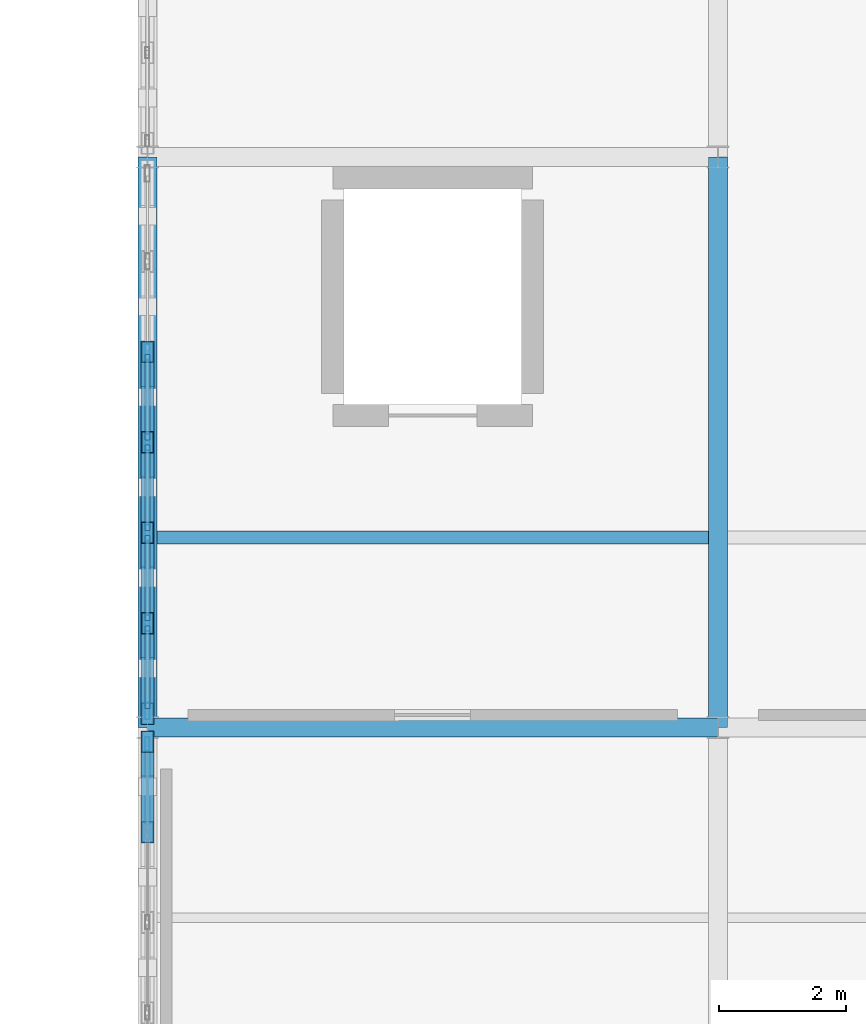
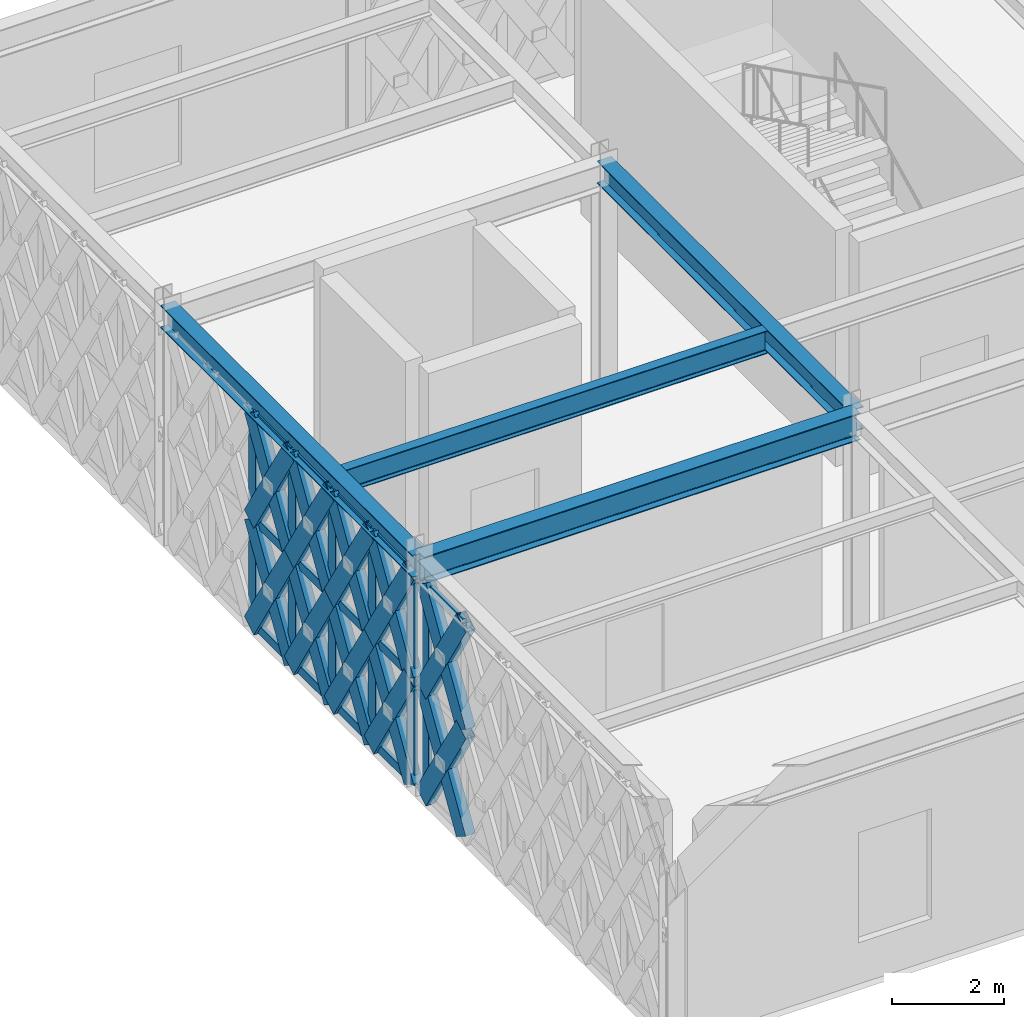
# One storey, part 83 of 166: 49 members, 4 beams, 2 elements without a shape of their own.
"""IFC4 building model written with IfcOpenShell, lengths in metres."""

from ifc_helpers import new_model, si_unit, direction, frame, origin, origin_2d, place, context, subcontext, project, spatial, hollow_rectangle, i_section, extrude, material, material_profile, profile_set, type_object, element, aggregate, save


model = new_model("IFC4")

# Units and contexts
model_context = context("Model", 3, precision=1e-05, world=origin(), true_north=direction((0.0, 1.0)))
body_context = subcontext(model_context, "Body", "Model", "MODEL_VIEW")
ifc_project = project(units=[si_unit("LENGTHUNIT", "METRE"), si_unit("AREAUNIT", "SQUARE_METRE"), si_unit("VOLUMEUNIT", "CUBIC_METRE"), si_unit("PLANEANGLEUNIT", "RADIAN"), si_unit("MASSUNIT", "GRAM", prefix="KILO")], contexts=[model_context])

# Site, building, storey
site_placement = place(None, origin())
site = spatial("IfcSite", under=ifc_project, at=site_placement, CompositionType="ELEMENT")
building_placement = place(site_placement, origin())
building = spatial("IfcBuilding", under=site, at=building_placement, Name="Haizhuo Lancet Aquarium", CompositionType="ELEMENT")
storey_placement = place(building_placement, frame((0.0, 0.0, 5.39990234375)))
storey = spatial("IfcBuildingStorey", under=building, at=storey_placement, Name="L01", CompositionType="ELEMENT", Elevation=5.39990234375)

# Beams
ifc_material_1 = material(Name="Steel S355", Category="steel")
ifc_material_profile_1 = material_profile(ifc_material_1, i_section(OverallWidth=0.300048828125, OverallDepth=0.488037109375, WebThickness=0.010986328125, FlangeThickness=0.01806640625, FilletRadius=0.02392578125, at=origin_2d()), Name="HM 488x300x11x18")
ifc_profile_set_1 = profile_set([ifc_material_profile_1], Name="Steel S355")
beam_type_1 = type_object("IfcBeamType", Name="BM-ST-HM488", PredefinedType="BEAM", material=ifc_profile_set_1)
for number, where, z_axis, x_axis, name in (
    (1, (36.0, 18.0, 4.89599609375), (0.0, 1.0, 0.0), (-1.0, 0.0, 0.0), "L01 V7 primary girder BM-L01-V7-003"),
    (2, (45.0, 18.0, 4.89599609375), (0.0, 1.0, 0.0), (-1.0, 0.0, 0.0), "L01 V7 primary girder BM-L01-V7-010"),
):
    element("IfcBeam", number, at=place(storey_placement, frame(where, z_axis=z_axis, x_axis=x_axis)), inside=storey, type_object=beam_type_1, Name=name, PredefinedType="BEAM", context=body_context, shape_type="SweptSolid", body=[
        extrude(i_section(OverallWidth=0.300048828125, OverallDepth=0.488037109375, WebThickness=0.010986328125, FlangeThickness=0.01806640625, FilletRadius=0.02392578125, at=origin_2d()), origin(), (0.0, 0.0, 1.0), 9.0),
    ])
ifc_material_profile_2 = material_profile(ifc_material_1, i_section(OverallWidth=0.300048828125, OverallDepth=0.587890625, WebThickness=0.011962890625, FlangeThickness=0.02001953125, FilletRadius=0.02587890625, at=origin_2d()), Name="HM 588x300x12x20")
ifc_profile_set_2 = profile_set([ifc_material_profile_2], Name="Steel S355")
beam_type_2 = type_object("IfcBeamType", Name="BM-ST-HM588", PredefinedType="BEAM", material=ifc_profile_set_2)
beam_1_placement = place(storey_placement, frame((36.0, 18.0, 4.84619140625), z_axis=(1.0, 0.0, 0.0), x_axis=(0.0, 1.0, 0.0)))
element("IfcBeam", 3, at=beam_1_placement, inside=storey, type_object=beam_type_2, Name="L01 V7 primary girder BM-L01-V7-004", PredefinedType="BEAM", context=body_context, shape_type="SweptSolid", body=[
    extrude(i_section(OverallWidth=0.300048828125, OverallDepth=0.587890625, WebThickness=0.011962890625, FlangeThickness=0.02001953125, FilletRadius=0.02587890625, at=origin_2d()), origin(), (0.0, 0.0, 1.0), 9.0),
])

# Curtain wall, member
ifc_material_2 = material(Name="Aluminium 6063-T6", Category="aluminium")
curtain_wall_type = type_object("IfcCurtainWallType", Name="CWD-8560x4650", PredefinedType="NOTDEFINED", material=ifc_material_2)
curtain_wall_1_placement = place(storey_placement, origin())
curtain_wall_1 = element("IfcCurtainWall", 4, at=curtain_wall_1_placement, inside=storey, type_object=curtain_wall_type, Name="L01 curtain wall CW-V7-L01-293", PredefinedType="NOTDEFINED")
ifc_material_profile_3 = material_profile(ifc_material_2, hollow_rectangle(XDim=0.074951171875, YDim=0.219970703125, WallThickness=0.0048828125, at=origin_2d()), Name="ALU-M 75x220x5")
ifc_profile_set_3 = profile_set([ifc_material_profile_3], Name="Aluminium 6063-T6")
member_type_1 = type_object("IfcMemberType", Name="CW-MUL-2", PredefinedType="MULLION", material=ifc_profile_set_3)
member_1_placement = place(storey_placement, frame((36.0, 17.741943359375, 0.0), z_axis=(0.0, 0.0, 1.0), x_axis=(-1.0, 0.0, 0.0)))
member_1 = element("IfcMember", 5, at=member_1_placement, type_object=member_type_1, Name="CWD-85x46 mullion 7", PredefinedType="MULLION", context=body_context, shape_type="SweptSolid", body=[
    extrude(hollow_rectangle(XDim=0.074951171875, YDim=0.219970703125, WallThickness=0.0048828125, at=origin_2d()), origin(), (0.0, 0.0, 1.0), 4.652099609375),
])

# Curtain wall, members
curtain_wall_2_placement = place(storey_placement, origin())
curtain_wall_2 = element("IfcCurtainWall", 6, at=curtain_wall_2_placement, inside=storey, type_object=curtain_wall_type, Name="L01 curtain wall CW-V7-L01-294", PredefinedType="NOTDEFINED")
ifc_material_profile_4 = material_profile(ifc_material_2, hollow_rectangle(XDim=0.080078125, YDim=0.260009765625, WallThickness=0.0048828125, at=origin_2d()), Name="ALU-M 80x260x5")
ifc_profile_set_4 = profile_set([ifc_material_profile_4], Name="Aluminium 6063-T6")
member_type_2 = type_object("IfcMemberType", Name="CW-MUL-3", PredefinedType="MULLION", material=ifc_profile_set_4)
member_2_placement = place(storey_placement, frame((36.0, 18.260009765625, 0.0), z_axis=(0.0, 0.0, 1.0), x_axis=(-1.0, 0.0, 0.0)))
member_2 = element("IfcMember", 7, at=member_2_placement, type_object=member_type_2, Name="CWD-85x46 mullion 1", PredefinedType="MULLION", context=body_context, shape_type="SweptSolid", body=[
    extrude(hollow_rectangle(XDim=0.080078125, YDim=0.260009765625, WallThickness=0.0048828125, at=origin_2d()), origin(), (0.0, 0.0, 1.0), 4.652099609375),
])
member_3_placement = place(storey_placement, frame((36.0, 19.64697265625, 0.0), z_axis=(0.0, 0.0, 1.0), x_axis=(-1.0, 0.0, 0.0)))
member_3 = element("IfcMember", 8, at=member_3_placement, type_object=member_type_2, Name="CWD-85x46 mullion 2", PredefinedType="MULLION", context=body_context, shape_type="SweptSolid", body=[
    extrude(hollow_rectangle(XDim=0.080078125, YDim=0.260009765625, WallThickness=0.0048828125, at=origin_2d()), origin(), (0.0, 0.0, 1.0), 4.652099609375),
])
member_4_placement = place(storey_placement, frame((36.0, 21.072998046875, 0.0), z_axis=(0.0, 0.0, 1.0), x_axis=(-1.0, 0.0, 0.0)))
member_4 = element("IfcMember", 9, at=member_4_placement, type_object=member_type_2, Name="CWD-85x46 mullion 3", PredefinedType="MULLION", context=body_context, shape_type="SweptSolid", body=[
    extrude(hollow_rectangle(XDim=0.080078125, YDim=0.260009765625, WallThickness=0.0048828125, at=origin_2d()), origin(), (0.0, 0.0, 1.0), 4.652099609375),
])
member_5_placement = place(storey_placement, frame((36.0, 22.5, 0.0), z_axis=(0.0, 0.0, 1.0), x_axis=(-1.0, 0.0, 0.0)))
member_5 = element("IfcMember", 10, at=member_5_placement, type_object=member_type_2, Name="CWD-85x46 mullion 4", PredefinedType="MULLION", context=body_context, shape_type="SweptSolid", body=[
    extrude(hollow_rectangle(XDim=0.080078125, YDim=0.260009765625, WallThickness=0.0048828125, at=origin_2d()), origin(), (0.0, 0.0, 1.0), 4.652099609375),
])
member_6_placement = place(storey_placement, frame((36.0, 23.927001953125, 0.0), z_axis=(0.0, 0.0, 1.0), x_axis=(-1.0, 0.0, 0.0)))
member_6 = element("IfcMember", 11, at=member_6_placement, type_object=member_type_2, Name="CWD-85x46 mullion 5", PredefinedType="MULLION", context=body_context, shape_type="SweptSolid", body=[
    extrude(hollow_rectangle(XDim=0.080078125, YDim=0.260009765625, WallThickness=0.0048828125, at=origin_2d()), origin(), (0.0, 0.0, 1.0), 4.652099609375),
])

# Member
ifc_material_profile_5 = material_profile(ifc_material_2, hollow_rectangle(XDim=0.074951171875, YDim=0.159912109375, WallThickness=0.00390625, at=origin_2d()), Name="ALU-T 75x160x4")
ifc_profile_set_5 = profile_set([ifc_material_profile_5], Name="Aluminium 6063-T6")
member_type_3 = type_object("IfcMemberType", Name="CW-TRN-2", PredefinedType="NOTDEFINED", material=ifc_profile_set_5)
member_7_placement = place(storey_placement, frame((36.0, 16.39111328125, 4.614013671875), z_axis=(0.0, 1.0, 0.0), x_axis=(-1.0, 0.0, 0.0)))
member_7 = element("IfcMember", 12, at=member_7_placement, type_object=member_type_3, Name="CWD-85x46 transom 6.3", ObjectType="TRANSOM", PredefinedType="USERDEFINED", context=body_context, shape_type="SweptSolid", body=[
    extrude(hollow_rectangle(XDim=0.074951171875, YDim=0.159912109375, WallThickness=0.00390625, at=origin_2d()), origin(), (0.0, 0.0, 1.0), 1.31396484375),
])

aggregate(curtain_wall_1, [member_1, member_7])

ifc_material_profile_6 = material_profile(ifc_material_2, hollow_rectangle(XDim=0.080078125, YDim=0.18994140625, WallThickness=0.0048828125, at=origin_2d()), Name="ALU-T 80x190x5")
ifc_profile_set_6 = profile_set([ifc_material_profile_6], Name="Aluminium 6063-T6")
member_type_4 = type_object("IfcMemberType", Name="CW-TRN-3", PredefinedType="NOTDEFINED", material=ifc_profile_set_6)
member_8_placement = place(storey_placement, frame((36.0, 18.300048828125, 0.0400390625), z_axis=(0.0, 1.0, 0.0), x_axis=(-1.0, 0.0, 0.0)))
member_8 = element("IfcMember", 13, at=member_8_placement, type_object=member_type_4, Name="CWD-85x46 transom 1.1", ObjectType="TRANSOM", PredefinedType="USERDEFINED", context=body_context, shape_type="SweptSolid", body=[
    extrude(hollow_rectangle(XDim=0.080078125, YDim=0.18994140625, WallThickness=0.0048828125, at=origin_2d()), origin(), (0.0, 0.0, 1.0), 1.306884765625),
])

member_9_placement = place(storey_placement, frame((36.0, 18.300048828125, 2.326171875), z_axis=(0.0, 1.0, 0.0), x_axis=(-1.0, 0.0, 0.0)))
member_9 = element("IfcMember", 14, at=member_9_placement, type_object=member_type_4, Name="CWD-85x46 transom 1.2", ObjectType="TRANSOM", PredefinedType="USERDEFINED", context=body_context, shape_type="SweptSolid", body=[
    extrude(hollow_rectangle(XDim=0.080078125, YDim=0.18994140625, WallThickness=0.0048828125, at=origin_2d()), origin(), (0.0, 0.0, 1.0), 1.306884765625),
])

member_10_placement = place(storey_placement, frame((36.0, 18.300048828125, 4.612060546875), z_axis=(0.0, 1.0, 0.0), x_axis=(-1.0, 0.0, 0.0)))
member_10 = element("IfcMember", 15, at=member_10_placement, type_object=member_type_4, Name="CWD-85x46 transom 1.3", ObjectType="TRANSOM", PredefinedType="USERDEFINED", context=body_context, shape_type="SweptSolid", body=[
    extrude(hollow_rectangle(XDim=0.080078125, YDim=0.18994140625, WallThickness=0.0048828125, at=origin_2d()), origin(), (0.0, 0.0, 1.0), 1.306884765625),
])

member_11_placement = place(storey_placement, frame((36.0, 19.68701171875, 0.0400390625), z_axis=(0.0, 1.0, 0.0), x_axis=(-1.0, 0.0, 0.0)))
member_11 = element("IfcMember", 16, at=member_11_placement, type_object=member_type_4, Name="CWD-85x46 transom 2.1", ObjectType="TRANSOM", PredefinedType="USERDEFINED", context=body_context, shape_type="SweptSolid", body=[
    extrude(hollow_rectangle(XDim=0.080078125, YDim=0.18994140625, WallThickness=0.0048828125, at=origin_2d()), origin(), (0.0, 0.0, 1.0), 1.345947265625),
])

member_12_placement = place(storey_placement, frame((36.0, 19.68701171875, 2.326171875), z_axis=(0.0, 1.0, 0.0), x_axis=(-1.0, 0.0, 0.0)))
member_12 = element("IfcMember", 17, at=member_12_placement, type_object=member_type_4, Name="CWD-85x46 transom 2.2", ObjectType="TRANSOM", PredefinedType="USERDEFINED", context=body_context, shape_type="SweptSolid", body=[
    extrude(hollow_rectangle(XDim=0.080078125, YDim=0.18994140625, WallThickness=0.0048828125, at=origin_2d()), origin(), (0.0, 0.0, 1.0), 1.345947265625),
])

member_13_placement = place(storey_placement, frame((36.0, 19.68701171875, 4.612060546875), z_axis=(0.0, 1.0, 0.0), x_axis=(-1.0, 0.0, 0.0)))
member_13 = element("IfcMember", 18, at=member_13_placement, type_object=member_type_4, Name="CWD-85x46 transom 2.3", ObjectType="TRANSOM", PredefinedType="USERDEFINED", context=body_context, shape_type="SweptSolid", body=[
    extrude(hollow_rectangle(XDim=0.080078125, YDim=0.18994140625, WallThickness=0.0048828125, at=origin_2d()), origin(), (0.0, 0.0, 1.0), 1.345947265625),
])

member_14_placement = place(storey_placement, frame((36.0, 21.113037109375, 0.0400390625), z_axis=(0.0, 1.0, 0.0), x_axis=(-1.0, 0.0, 0.0)))
member_14 = element("IfcMember", 19, at=member_14_placement, type_object=member_type_4, Name="CWD-85x46 transom 3.1", ObjectType="TRANSOM", PredefinedType="USERDEFINED", context=body_context, shape_type="SweptSolid", body=[
    extrude(hollow_rectangle(XDim=0.080078125, YDim=0.18994140625, WallThickness=0.0048828125, at=origin_2d()), origin(), (0.0, 0.0, 1.0), 1.346923828125),
])

member_15_placement = place(storey_placement, frame((36.0, 21.113037109375, 2.326171875), z_axis=(0.0, 1.0, 0.0), x_axis=(-1.0, 0.0, 0.0)))
member_15 = element("IfcMember", 20, at=member_15_placement, type_object=member_type_4, Name="CWD-85x46 transom 3.2", ObjectType="TRANSOM", PredefinedType="USERDEFINED", context=body_context, shape_type="SweptSolid", body=[
    extrude(hollow_rectangle(XDim=0.080078125, YDim=0.18994140625, WallThickness=0.0048828125, at=origin_2d()), origin(), (0.0, 0.0, 1.0), 1.346923828125),
])

member_16_placement = place(storey_placement, frame((36.0, 21.113037109375, 4.612060546875), z_axis=(0.0, 1.0, 0.0), x_axis=(-1.0, 0.0, 0.0)))
member_16 = element("IfcMember", 21, at=member_16_placement, type_object=member_type_4, Name="CWD-85x46 transom 3.3", ObjectType="TRANSOM", PredefinedType="USERDEFINED", context=body_context, shape_type="SweptSolid", body=[
    extrude(hollow_rectangle(XDim=0.080078125, YDim=0.18994140625, WallThickness=0.0048828125, at=origin_2d()), origin(), (0.0, 0.0, 1.0), 1.346923828125),
])

member_17_placement = place(storey_placement, frame((36.0, 22.5400390625, 0.0400390625), z_axis=(0.0, 1.0, 0.0), x_axis=(-1.0, 0.0, 0.0)))
member_17 = element("IfcMember", 22, at=member_17_placement, type_object=member_type_4, Name="CWD-85x46 transom 4.1", ObjectType="TRANSOM", PredefinedType="USERDEFINED", context=body_context, shape_type="SweptSolid", body=[
    extrude(hollow_rectangle(XDim=0.080078125, YDim=0.18994140625, WallThickness=0.0048828125, at=origin_2d()), origin(), (0.0, 0.0, 1.0), 1.346923828125),
])

member_18_placement = place(storey_placement, frame((36.0, 22.5400390625, 2.326171875), z_axis=(0.0, 1.0, 0.0), x_axis=(-1.0, 0.0, 0.0)))
member_18 = element("IfcMember", 23, at=member_18_placement, type_object=member_type_4, Name="CWD-85x46 transom 4.2", ObjectType="TRANSOM", PredefinedType="USERDEFINED", context=body_context, shape_type="SweptSolid", body=[
    extrude(hollow_rectangle(XDim=0.080078125, YDim=0.18994140625, WallThickness=0.0048828125, at=origin_2d()), origin(), (0.0, 0.0, 1.0), 1.346923828125),
])

member_19_placement = place(storey_placement, frame((36.0, 22.5400390625, 4.612060546875), z_axis=(0.0, 1.0, 0.0), x_axis=(-1.0, 0.0, 0.0)))
member_19 = element("IfcMember", 24, at=member_19_placement, type_object=member_type_4, Name="CWD-85x46 transom 4.3", ObjectType="TRANSOM", PredefinedType="USERDEFINED", context=body_context, shape_type="SweptSolid", body=[
    extrude(hollow_rectangle(XDim=0.080078125, YDim=0.18994140625, WallThickness=0.0048828125, at=origin_2d()), origin(), (0.0, 0.0, 1.0), 1.346923828125),
])

aggregate(curtain_wall_2, [member_2, member_3, member_4, member_5, member_6, member_8, member_9, member_10, member_11, member_12, member_13, member_14, member_15, member_16, member_17, member_18, member_19])

# Beam
ifc_material_profile_7 = material_profile(ifc_material_1, i_section(OverallWidth=0.199951171875, OverallDepth=0.5, WebThickness=0.010009765625, FlangeThickness=0.01611328125, FilletRadius=0.02001953125, at=origin_2d()), Name="HN 500x200x10x16")
ifc_profile_set_7 = profile_set([ifc_material_profile_7], Name="Steel S355")
beam_type_3 = type_object("IfcBeamType", Name="JST-ST-HN500", PredefinedType="JOIST", material=ifc_profile_set_7)
beam_2_placement = place(storey_placement, frame((36.14990234375, 21.0, 4.89013671875), z_axis=(1.0, 0.0, 0.0), x_axis=(0.0, 1.0, 0.0)))
element("IfcBeam", 25, at=beam_2_placement, inside=storey, type_object=beam_type_3, Name="L01 V7 secondary floor joist 3", PredefinedType="JOIST", context=body_context, shape_type="SweptSolid", body=[
    extrude(i_section(OverallWidth=0.199951171875, OverallDepth=0.5, WebThickness=0.010009765625, FlangeThickness=0.01611328125, FilletRadius=0.02001953125, at=origin_2d()), origin(), (0.0, 0.0, 1.0), 8.7001953125),
])

# Members
ifc_material_profile_8 = material_profile(ifc_material_1, hollow_rectangle(XDim=0.199951171875, YDim=0.39990234375, WallThickness=0.011962890625, at=origin_2d()), Name="RHS 200x400x12")
ifc_profile_set_8 = profile_set([ifc_material_profile_8], Name="Steel S355")
member_type_5 = type_object("IfcMemberType", Name="MEM-LB-RHS200x400", PredefinedType="BRACE", material=ifc_profile_set_8)
member_20_placement = place(storey_placement, frame((36.0, 16.35302734375, 0.0), z_axis=(0.0, 0.522903960116, 0.85239160513), x_axis=(-1.0, 0.0, 0.0)))
element("IfcMember", 26, at=member_20_placement, inside=storey, type_object=member_type_5, Name="Gothic lancet continuous diagonal brace CW-V7-L01-293 11A", PredefinedType="BRACE", context=body_context, shape_type="SweptSolid", body=[
    extrude(hollow_rectangle(XDim=0.199951171875, YDim=0.39990234375, WallThickness=0.011962890625, at=origin_2d()), origin(), (0.0, 0.0, 1.0), 2.72900390625),
])
member_21_placement = place(storey_placement, frame((36.0, 17.780029296875, 0.0), z_axis=(0.0, -0.522708917992, 0.852511224003), x_axis=(1.0, 0.0, 0.0)))
element("IfcMember", 27, at=member_21_placement, inside=storey, type_object=member_type_5, Name="Gothic lancet split diagonal brace CW-V7-L01-293 11B1", PredefinedType="BRACE", context=body_context, shape_type="SweptSolid", body=[
    extrude(hollow_rectangle(XDim=0.199951171875, YDim=0.39990234375, WallThickness=0.011962890625, at=origin_2d()), origin(), (0.0, 0.0, 1.0), 1.3642578125),
])
member_22_placement = place(storey_placement, frame((36.0, 17.06689453125, 1.1630859375), z_axis=(0.0, -0.52309892014, 0.852271975222), x_axis=(1.0, 0.0, 0.0)))
element("IfcMember", 28, at=member_22_placement, inside=storey, type_object=member_type_5, Name="Gothic lancet split diagonal brace CW-V7-L01-293 11B2", PredefinedType="BRACE", context=body_context, shape_type="SweptSolid", body=[
    extrude(hollow_rectangle(XDim=0.199951171875, YDim=0.39990234375, WallThickness=0.011962890625, at=origin_2d()), origin(), (0.0, 0.0, 1.0), 1.36474609375),
])
member_23_placement = place(storey_placement, frame((36.0, 16.35302734375, 2.326171875), z_axis=(0.0, 0.522943837384, 0.852367140933), x_axis=(-1.0, 0.0, 0.0)))
element("IfcMember", 29, at=member_23_placement, inside=storey, type_object=member_type_5, Name="Gothic lancet continuous diagonal brace CW-V7-L01-293 12A", PredefinedType="BRACE", context=body_context, shape_type="SweptSolid", body=[
    extrude(hollow_rectangle(XDim=0.199951171875, YDim=0.39990234375, WallThickness=0.011962890625, at=origin_2d()), origin(), (0.0, 0.0, 1.0), 2.728759765625),
])
member_24_placement = place(storey_placement, frame((36.0, 17.780029296875, 2.326171875), z_axis=(0.0, -0.5227886701, 0.852462319646), x_axis=(1.0, 0.0, 0.0)))
element("IfcMember", 30, at=member_24_placement, inside=storey, type_object=member_type_5, Name="Gothic lancet split diagonal brace CW-V7-L01-293 12B1", PredefinedType="BRACE", context=body_context, shape_type="SweptSolid", body=[
    extrude(hollow_rectangle(XDim=0.199951171875, YDim=0.39990234375, WallThickness=0.011962890625, at=origin_2d()), origin(), (0.0, 0.0, 1.0), 1.364013671875),
])
member_25_placement = place(storey_placement, frame((36.0, 17.06689453125, 3.489013671875), z_axis=(0.0, -0.52309892014, 0.852271975222), x_axis=(1.0, 0.0, 0.0)))
element("IfcMember", 31, at=member_25_placement, inside=storey, type_object=member_type_5, Name="Gothic lancet split diagonal brace CW-V7-L01-293 12B2", PredefinedType="BRACE", context=body_context, shape_type="SweptSolid", body=[
    extrude(hollow_rectangle(XDim=0.199951171875, YDim=0.39990234375, WallThickness=0.011962890625, at=origin_2d()), origin(), (0.0, 0.0, 1.0), 1.36474609375),
])
member_26_placement = place(storey_placement, frame((36.0, 18.219970703125, 0.0), z_axis=(0.0, 0.522903960116, 0.85239160513), x_axis=(-1.0, 0.0, 0.0)))
element("IfcMember", 32, at=member_26_placement, inside=storey, type_object=member_type_5, Name="Gothic lancet continuous diagonal brace CW-V7-L01-294 1A", PredefinedType="BRACE", context=body_context, shape_type="SweptSolid", body=[
    extrude(hollow_rectangle(XDim=0.199951171875, YDim=0.39990234375, WallThickness=0.011962890625, at=origin_2d()), origin(), (0.0, 0.0, 1.0), 2.72900390625),
])
member_27_placement = place(storey_placement, frame((36.0, 19.64697265625, 0.0), z_axis=(0.0, -0.52309892014, 0.852271975222), x_axis=(1.0, 0.0, 0.0)))
element("IfcMember", 33, at=member_27_placement, inside=storey, type_object=member_type_5, Name="Gothic lancet split diagonal brace CW-V7-L01-294 1B1", PredefinedType="BRACE", context=body_context, shape_type="SweptSolid", body=[
    extrude(hollow_rectangle(XDim=0.199951171875, YDim=0.39990234375, WallThickness=0.011962890625, at=origin_2d()), origin(), (0.0, 0.0, 1.0), 1.36474609375),
])
member_28_placement = place(storey_placement, frame((36.0, 18.93310546875, 1.1630859375), z_axis=(0.0, -0.522708917992, 0.852511224003), x_axis=(1.0, 0.0, 0.0)))
element("IfcMember", 34, at=member_28_placement, inside=storey, type_object=member_type_5, Name="Gothic lancet split diagonal brace CW-V7-L01-294 1B2", PredefinedType="BRACE", context=body_context, shape_type="SweptSolid", body=[
    extrude(hollow_rectangle(XDim=0.199951171875, YDim=0.39990234375, WallThickness=0.011962890625, at=origin_2d()), origin(), (0.0, 0.0, 1.0), 1.3642578125),
])
member_29_placement = place(storey_placement, frame((36.0, 18.219970703125, 2.326171875), z_axis=(0.0, 0.522943837384, 0.852367140933), x_axis=(-1.0, 0.0, 0.0)))
element("IfcMember", 35, at=member_29_placement, inside=storey, type_object=member_type_5, Name="Gothic lancet continuous diagonal brace CW-V7-L01-294 2A", PredefinedType="BRACE", context=body_context, shape_type="SweptSolid", body=[
    extrude(hollow_rectangle(XDim=0.199951171875, YDim=0.39990234375, WallThickness=0.011962890625, at=origin_2d()), origin(), (0.0, 0.0, 1.0), 2.728759765625),
])
member_30_placement = place(storey_placement, frame((36.0, 19.64697265625, 2.326171875), z_axis=(0.0, -0.523178686952, 0.852223011611), x_axis=(1.0, 0.0, 0.0)))
element("IfcMember", 36, at=member_30_placement, inside=storey, type_object=member_type_5, Name="Gothic lancet split diagonal brace CW-V7-L01-294 2B1", PredefinedType="BRACE", context=body_context, shape_type="SweptSolid", body=[
    extrude(hollow_rectangle(XDim=0.199951171875, YDim=0.39990234375, WallThickness=0.011962890625, at=origin_2d()), origin(), (0.0, 0.0, 1.0), 1.364501953125),
])
member_31_placement = place(storey_placement, frame((36.0, 18.93310546875, 3.489013671875), z_axis=(0.0, -0.522708917992, 0.852511224003), x_axis=(1.0, 0.0, 0.0)))
element("IfcMember", 37, at=member_31_placement, inside=storey, type_object=member_type_5, Name="Gothic lancet split diagonal brace CW-V7-L01-294 2B2", PredefinedType="BRACE", context=body_context, shape_type="SweptSolid", body=[
    extrude(hollow_rectangle(XDim=0.199951171875, YDim=0.39990234375, WallThickness=0.011962890625, at=origin_2d()), origin(), (0.0, 0.0, 1.0), 1.3642578125),
])
member_32_placement = place(storey_placement, frame((36.0, 19.64697265625, 0.0), z_axis=(0.0, 0.522643885704, 0.852551094502), x_axis=(-1.0, 0.0, 0.0)))
element("IfcMember", 38, at=member_32_placement, inside=storey, type_object=member_type_5, Name="Gothic lancet continuous diagonal brace CW-V7-L01-294 3A", PredefinedType="BRACE", context=body_context, shape_type="SweptSolid", body=[
    extrude(hollow_rectangle(XDim=0.199951171875, YDim=0.39990234375, WallThickness=0.011962890625, at=origin_2d()), origin(), (0.0, 0.0, 1.0), 2.728515625),
])
for number, where, z_axis, x_axis, name in (
    (39, (36.0, 21.072998046875, 0.0), (0.0, -0.522578844291, 0.852590963768), (1.0, 0.0, 0.0), "Gothic lancet split diagonal brace CW-V7-L01-294 3B1"),
    (40, (36.0, 20.360107421875, 1.1630859375), (0.0, -0.522708917992, 0.852511224003), (1.0, 0.0, 0.0), "Gothic lancet split diagonal brace CW-V7-L01-294 3B2"),
):
    element("IfcMember", number, at=place(storey_placement, frame(where, z_axis=z_axis, x_axis=x_axis)), inside=storey, type_object=member_type_5, Name=name, PredefinedType="BRACE", context=body_context, shape_type="SweptSolid", body=[
        extrude(hollow_rectangle(XDim=0.199951171875, YDim=0.39990234375, WallThickness=0.011962890625, at=origin_2d()), origin(), (0.0, 0.0, 1.0), 1.3642578125),
    ])
member_33_placement = place(storey_placement, frame((36.0, 19.64697265625, 2.326171875), z_axis=(0.0, 0.522683758057, 0.852526650061), x_axis=(-1.0, 0.0, 0.0)))
element("IfcMember", 41, at=member_33_placement, inside=storey, type_object=member_type_5, Name="Gothic lancet continuous diagonal brace CW-V7-L01-294 4A", PredefinedType="BRACE", context=body_context, shape_type="SweptSolid", body=[
    extrude(hollow_rectangle(XDim=0.199951171875, YDim=0.39990234375, WallThickness=0.011962890625, at=origin_2d()), origin(), (0.0, 0.0, 1.0), 2.728271484375),
])
member_34_placement = place(storey_placement, frame((36.0, 21.072998046875, 2.326171875), z_axis=(0.0, -0.522658591473, 0.852542079173), x_axis=(1.0, 0.0, 0.0)))
element("IfcMember", 42, at=member_34_placement, inside=storey, type_object=member_type_5, Name="Gothic lancet split diagonal brace CW-V7-L01-294 4B1", PredefinedType="BRACE", context=body_context, shape_type="SweptSolid", body=[
    extrude(hollow_rectangle(XDim=0.199951171875, YDim=0.39990234375, WallThickness=0.011962890625, at=origin_2d()), origin(), (0.0, 0.0, 1.0), 1.364013671875),
])
member_35_placement = place(storey_placement, frame((36.0, 20.360107421875, 3.489013671875), z_axis=(0.0, -0.522708917992, 0.852511224003), x_axis=(1.0, 0.0, 0.0)))
element("IfcMember", 43, at=member_35_placement, inside=storey, type_object=member_type_5, Name="Gothic lancet split diagonal brace CW-V7-L01-294 4B2", PredefinedType="BRACE", context=body_context, shape_type="SweptSolid", body=[
    extrude(hollow_rectangle(XDim=0.199951171875, YDim=0.39990234375, WallThickness=0.011962890625, at=origin_2d()), origin(), (0.0, 0.0, 1.0), 1.3642578125),
])
member_36_placement = place(storey_placement, frame((36.0, 21.072998046875, 0.0), z_axis=(0.0, 0.522903960116, 0.85239160513), x_axis=(-1.0, 0.0, 0.0)))
element("IfcMember", 44, at=member_36_placement, inside=storey, type_object=member_type_5, Name="Gothic lancet continuous diagonal brace CW-V7-L01-294 5A", PredefinedType="BRACE", context=body_context, shape_type="SweptSolid", body=[
    extrude(hollow_rectangle(XDim=0.199951171875, YDim=0.39990234375, WallThickness=0.011962890625, at=origin_2d()), origin(), (0.0, 0.0, 1.0), 2.72900390625),
])
member_37_placement = place(storey_placement, frame((36.0, 22.5, 0.0), z_axis=(0.0, -0.522578844291, 0.852590963768), x_axis=(1.0, 0.0, 0.0)))
element("IfcMember", 45, at=member_37_placement, inside=storey, type_object=member_type_5, Name="Gothic lancet split diagonal brace CW-V7-L01-294 5B1", PredefinedType="BRACE", context=body_context, shape_type="SweptSolid", body=[
    extrude(hollow_rectangle(XDim=0.199951171875, YDim=0.39990234375, WallThickness=0.011962890625, at=origin_2d()), origin(), (0.0, 0.0, 1.0), 1.3642578125),
])
member_38_placement = place(storey_placement, frame((36.0, 21.787109375, 1.1630859375), z_axis=(0.0, -0.523228847887, 0.85219221584), x_axis=(1.0, 0.0, 0.0)))
element("IfcMember", 46, at=member_38_placement, inside=storey, type_object=member_type_5, Name="Gothic lancet split diagonal brace CW-V7-L01-294 5B2", PredefinedType="BRACE", context=body_context, shape_type="SweptSolid", body=[
    extrude(hollow_rectangle(XDim=0.199951171875, YDim=0.39990234375, WallThickness=0.011962890625, at=origin_2d()), origin(), (0.0, 0.0, 1.0), 1.36474609375),
])
member_39_placement = place(storey_placement, frame((36.0, 21.072998046875, 2.326171875), z_axis=(0.0, 0.522943837384, 0.852367140933), x_axis=(-1.0, 0.0, 0.0)))
element("IfcMember", 47, at=member_39_placement, inside=storey, type_object=member_type_5, Name="Gothic lancet continuous diagonal brace CW-V7-L01-294 6A", PredefinedType="BRACE", context=body_context, shape_type="SweptSolid", body=[
    extrude(hollow_rectangle(XDim=0.199951171875, YDim=0.39990234375, WallThickness=0.011962890625, at=origin_2d()), origin(), (0.0, 0.0, 1.0), 2.728759765625),
])
member_40_placement = place(storey_placement, frame((36.0, 22.5, 2.326171875), z_axis=(0.0, -0.522658591473, 0.852542079173), x_axis=(1.0, 0.0, 0.0)))
element("IfcMember", 48, at=member_40_placement, inside=storey, type_object=member_type_5, Name="Gothic lancet split diagonal brace CW-V7-L01-294 6B1", PredefinedType="BRACE", context=body_context, shape_type="SweptSolid", body=[
    extrude(hollow_rectangle(XDim=0.199951171875, YDim=0.39990234375, WallThickness=0.011962890625, at=origin_2d()), origin(), (0.0, 0.0, 1.0), 1.364013671875),
])
member_41_placement = place(storey_placement, frame((36.0, 21.787109375, 3.489013671875), z_axis=(0.0, -0.523228847887, 0.85219221584), x_axis=(1.0, 0.0, 0.0)))
element("IfcMember", 49, at=member_41_placement, inside=storey, type_object=member_type_5, Name="Gothic lancet split diagonal brace CW-V7-L01-294 6B2", PredefinedType="BRACE", context=body_context, shape_type="SweptSolid", body=[
    extrude(hollow_rectangle(XDim=0.199951171875, YDim=0.39990234375, WallThickness=0.011962890625, at=origin_2d()), origin(), (0.0, 0.0, 1.0), 1.36474609375),
])
member_42_placement = place(storey_placement, frame((36.0, 22.5, 0.0), z_axis=(0.0, 0.522903960116, 0.85239160513), x_axis=(-1.0, 0.0, 0.0)))
element("IfcMember", 50, at=member_42_placement, inside=storey, type_object=member_type_5, Name="Gothic lancet continuous diagonal brace CW-V7-L01-294 7A", PredefinedType="BRACE", context=body_context, shape_type="SweptSolid", body=[
    extrude(hollow_rectangle(XDim=0.199951171875, YDim=0.39990234375, WallThickness=0.011962890625, at=origin_2d()), origin(), (0.0, 0.0, 1.0), 2.72900390625),
])
member_43_placement = place(storey_placement, frame((36.0, 23.927001953125, 0.0), z_axis=(0.0, -0.523228847887, 0.85219221584), x_axis=(1.0, 0.0, 0.0)))
element("IfcMember", 51, at=member_43_placement, inside=storey, type_object=member_type_5, Name="Gothic lancet split diagonal brace CW-V7-L01-294 7B1", PredefinedType="BRACE", context=body_context, shape_type="SweptSolid", body=[
    extrude(hollow_rectangle(XDim=0.199951171875, YDim=0.39990234375, WallThickness=0.011962890625, at=origin_2d()), origin(), (0.0, 0.0, 1.0), 1.36474609375),
])
member_44_placement = place(storey_placement, frame((36.0, 23.212890625, 1.1630859375), z_axis=(0.0, -0.522578844291, 0.852590963768), x_axis=(1.0, 0.0, 0.0)))
element("IfcMember", 52, at=member_44_placement, inside=storey, type_object=member_type_5, Name="Gothic lancet split diagonal brace CW-V7-L01-294 7B2", PredefinedType="BRACE", context=body_context, shape_type="SweptSolid", body=[
    extrude(hollow_rectangle(XDim=0.199951171875, YDim=0.39990234375, WallThickness=0.011962890625, at=origin_2d()), origin(), (0.0, 0.0, 1.0), 1.3642578125),
])
member_45_placement = place(storey_placement, frame((36.0, 22.5, 2.326171875), z_axis=(0.0, 0.522943837384, 0.852367140933), x_axis=(-1.0, 0.0, 0.0)))
element("IfcMember", 53, at=member_45_placement, inside=storey, type_object=member_type_5, Name="Gothic lancet continuous diagonal brace CW-V7-L01-294 8A", PredefinedType="BRACE", context=body_context, shape_type="SweptSolid", body=[
    extrude(hollow_rectangle(XDim=0.199951171875, YDim=0.39990234375, WallThickness=0.011962890625, at=origin_2d()), origin(), (0.0, 0.0, 1.0), 2.728759765625),
])
member_46_placement = place(storey_placement, frame((36.0, 23.927001953125, 2.326171875), z_axis=(0.0, -0.523308619575, 0.85214323249), x_axis=(1.0, 0.0, 0.0)))
element("IfcMember", 54, at=member_46_placement, inside=storey, type_object=member_type_5, Name="Gothic lancet split diagonal brace CW-V7-L01-294 8B1", PredefinedType="BRACE", context=body_context, shape_type="SweptSolid", body=[
    extrude(hollow_rectangle(XDim=0.199951171875, YDim=0.39990234375, WallThickness=0.011962890625, at=origin_2d()), origin(), (0.0, 0.0, 1.0), 1.364501953125),
])
member_47_placement = place(storey_placement, frame((36.0, 23.212890625, 3.489013671875), z_axis=(0.0, -0.522578844291, 0.852590963768), x_axis=(1.0, 0.0, 0.0)))
element("IfcMember", 55, at=member_47_placement, inside=storey, type_object=member_type_5, Name="Gothic lancet split diagonal brace CW-V7-L01-294 8B2", PredefinedType="BRACE", context=body_context, shape_type="SweptSolid", body=[
    extrude(hollow_rectangle(XDim=0.199951171875, YDim=0.39990234375, WallThickness=0.011962890625, at=origin_2d()), origin(), (0.0, 0.0, 1.0), 1.3642578125),
])

save(model, "model.ifc")
